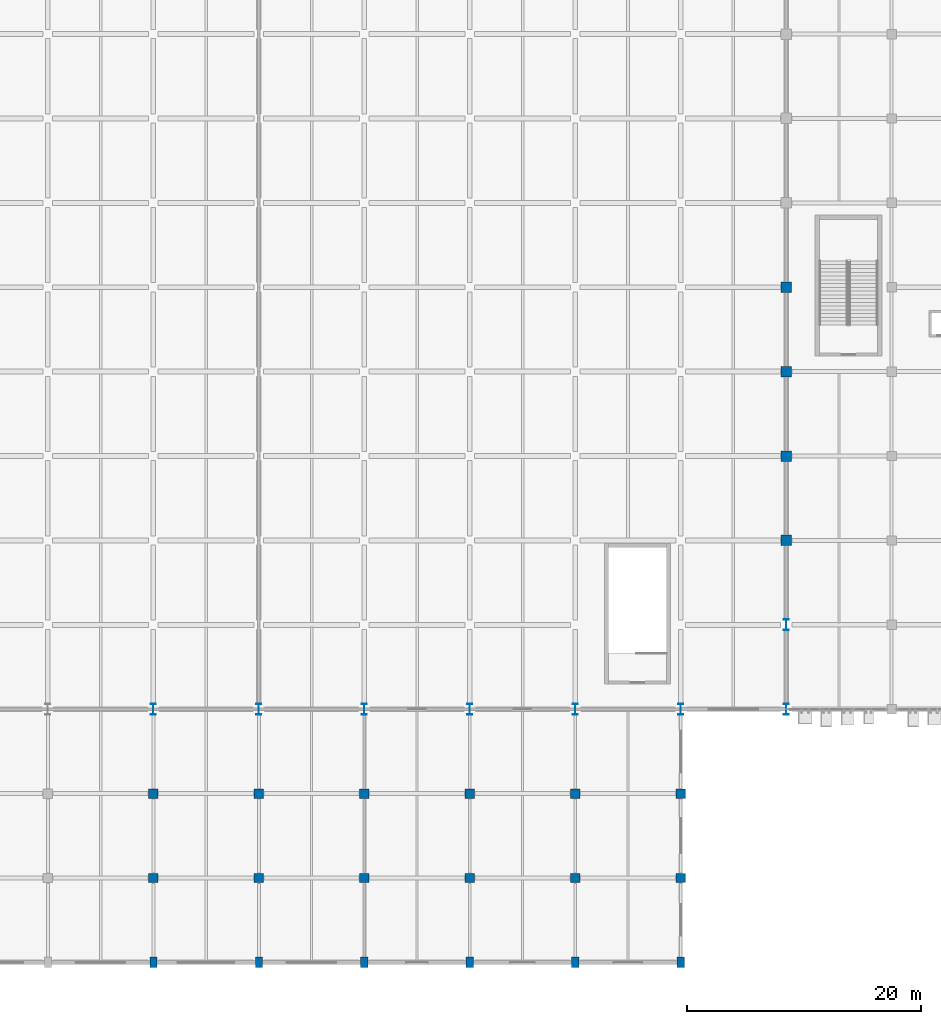
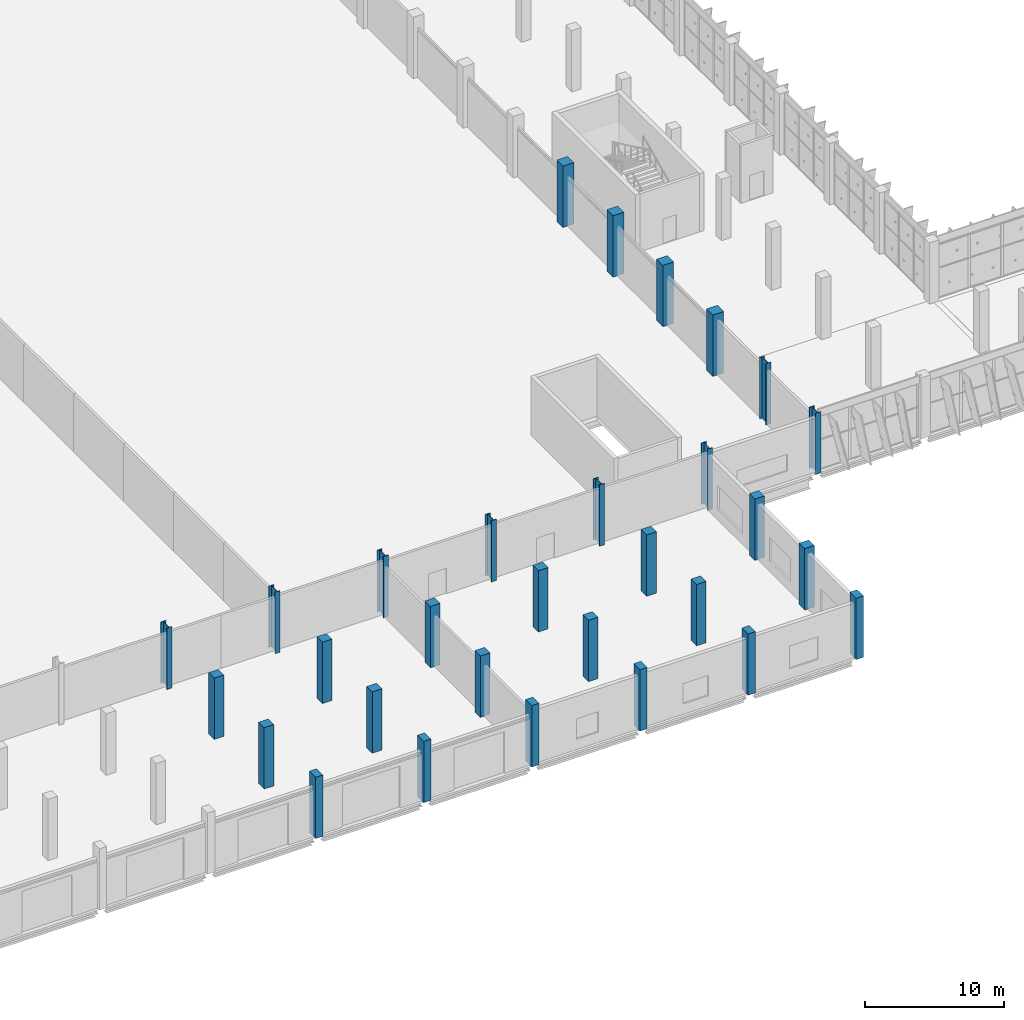
# One storey, part 3 of 137: 30 columns.
"""IFC4 building model written with IfcOpenShell, lengths in metres."""

from ifc_helpers import new_model, si_unit, direction, frame, origin, origin_2d, place, context, subcontext, project, spatial, rectangle, i_section, extrude, material, material_profile, profile_set, type_object, element, save


model = new_model("IFC4")

# Units and contexts
model_context = context("Model", 3, precision=1e-05, world=origin(), true_north=direction((0.0, 1.0)))
body_context = subcontext(model_context, "Body", "Model", "MODEL_VIEW")
ifc_project = project(units=[si_unit("LENGTHUNIT", "METRE"), si_unit("AREAUNIT", "SQUARE_METRE"), si_unit("VOLUMEUNIT", "CUBIC_METRE"), si_unit("PLANEANGLEUNIT", "RADIAN"), si_unit("MASSUNIT", "GRAM", prefix="KILO")], contexts=[model_context])

# Site, building, storey
site_placement = place(None, origin())
site = spatial("IfcSite", under=ifc_project, at=site_placement, CompositionType="ELEMENT")
building_placement = place(site_placement, origin())
building = spatial("IfcBuilding", under=site, at=building_placement, Name="Celestram Park Convention Centre", CompositionType="ELEMENT")
storey_placement = place(building_placement, origin())
storey = spatial("IfcBuildingStorey", under=building, at=storey_placement, Name="L00", CompositionType="ELEMENT", Elevation=0.0)

# Columns
ifc_material_1 = material(Name="Concrete C40/50", Category="concrete")
ifc_material_profile_1 = material_profile(ifc_material_1, rectangle(XDim=0.800048828125, YDim=0.800048828125, at=origin_2d()), Name="RC800X800")
ifc_profile_set_1 = profile_set([ifc_material_profile_1], Name="Concrete C40/50")
column_type_1 = type_object("IfcColumnType", Name="STR-COL-RC800", PredefinedType="COLUMN", material=ifc_profile_set_1)
for number, where, z_axis, x_axis, name in (
    (1, (72.0, 7.199951171875, 0.0), (0.0, 0.0, 1.0), (1.0, 0.0, 0.0), "Column CN-L00-093"),
    (2, (72.0, 14.39990234375, 0.0), (0.0, 0.0, 1.0), (1.0, 0.0, 0.0), "Column CN-L00-094"),
    (3, (81.0, 7.199951171875, 0.0), (0.0, 0.0, 1.0), (1.0, 0.0, 0.0), "Column CN-L00-106"),
    (4, (81.0, 14.39990234375, 0.0), (0.0, 0.0, 1.0), (1.0, 0.0, 0.0), "Column CN-L00-107"),
    (5, (90.0, 7.199951171875, 0.0), (0.0, 0.0, 1.0), (1.0, 0.0, 0.0), "Column CN-L00-119"),
    (6, (90.0, 14.39990234375, 0.0), (0.0, 0.0, 1.0), (1.0, 0.0, 0.0), "Column CN-L00-120"),
    (7, (99.0, 7.199951171875, 0.0), (0.0, 0.0, 1.0), (1.0, 0.0, 0.0), "Column CN-L00-132"),
    (8, (99.0, 14.39990234375, 0.0), (0.0, 0.0, 1.0), (1.0, 0.0, 0.0), "Column CN-L00-133"),
    (9, (108.0, 7.199951171875, 0.0), (0.0, 0.0, 1.0), (1.0, 0.0, 0.0), "Column CN-L00-145"),
    (10, (108.0, 14.39990234375, 0.0), (0.0, 0.0, 1.0), (1.0, 0.0, 0.0), "Column CN-L00-146"),
    (11, (117.0, 7.199951171875, 0.0), (0.0, 0.0, 1.0), (1.0, 0.0, 0.0), "Column CN-L00-158"),
    (12, (117.0, 14.39990234375, 0.0), (0.0, 0.0, 1.0), (1.0, 0.0, 0.0), "Column CN-L00-159"),
):
    element("IfcColumn", number, at=place(storey_placement, frame(where, z_axis=z_axis, x_axis=x_axis)), inside=storey, type_object=column_type_1, Name=name, PredefinedType="COLUMN", context=body_context, shape_type="SweptSolid", body=[
        extrude(rectangle(XDim=0.800048828125, YDim=0.800048828125, at=origin_2d()), origin(), (0.0, 0.0, 1.0), 5.39990234375),
    ])
ifc_material_profile_2 = material_profile(ifc_material_1, rectangle(XDim=0.89990234375, YDim=0.89990234375, at=origin_2d()), Name="RC900X900")
ifc_profile_set_2 = profile_set([ifc_material_profile_2], Name="Concrete C40/50")
column_type_2 = type_object("IfcColumnType", Name="STR-COL-RC900", PredefinedType="COLUMN", material=ifc_profile_set_2)
for number, where, z_axis, x_axis, name in (
    (13, (126.0, 36.0, 0.0), (0.0, 0.0, 1.0), (1.0, 0.0, 0.0), "Column CN-L00-172"),
    (14, (126.0, 43.199951171875, 0.0), (0.0, 0.0, 1.0), (1.0, 0.0, 0.0), "Column CN-L00-173"),
    (15, (126.0, 50.39990234375, 0.0), (0.0, 0.0, 1.0), (1.0, 0.0, 0.0), "Column CN-L00-174"),
    (16, (126.0, 57.60009765625, 0.0), (0.0, 0.0, 1.0), (1.0, 0.0, 0.0), "Column CN-L00-175"),
):
    element("IfcColumn", number, at=place(storey_placement, frame(where, z_axis=z_axis, x_axis=x_axis)), inside=storey, type_object=column_type_2, Name=name, PredefinedType="COLUMN", context=body_context, shape_type="SweptSolid", body=[
        extrude(rectangle(XDim=0.89990234375, YDim=0.89990234375, at=origin_2d()), origin(), (0.0, 0.0, 1.0), 5.39990234375),
    ])
ifc_material_profile_3 = material_profile(ifc_material_1, rectangle(XDim=0.60009765625, YDim=0.89990234375, at=origin_2d()), Name="RC900X600")
ifc_profile_set_3 = profile_set([ifc_material_profile_3], Name="Concrete C40/50")
column_type_3 = type_object("IfcColumnType", Name="STR-COL-RC900X600", PredefinedType="COLUMN", material=ifc_profile_set_3)
for number, where, z_axis, x_axis, name in (
    (17, (72.0, 0.0, 0.0), (0.0, 0.0, 1.0), (1.0, 0.0, 0.0), "Column CN-L00-092"),
    (18, (81.0, 0.0, 0.0), (0.0, 0.0, 1.0), (1.0, 0.0, 0.0), "Column CN-L00-105"),
    (19, (90.0, 0.0, 0.0), (0.0, 0.0, 1.0), (1.0, 0.0, 0.0), "Column CN-L00-118"),
    (20, (99.0, 0.0, 0.0), (0.0, 0.0, 1.0), (1.0, 0.0, 0.0), "Column CN-L00-131"),
    (21, (108.0, 0.0, 0.0), (0.0, 0.0, 1.0), (1.0, 0.0, 0.0), "Column CN-L00-144"),
    (22, (117.0, 0.0, 0.0), (0.0, 0.0, 1.0), (1.0, 0.0, 0.0), "Column CN-L00-157"),
):
    element("IfcColumn", number, at=place(storey_placement, frame(where, z_axis=z_axis, x_axis=x_axis)), inside=storey, type_object=column_type_3, Name=name, PredefinedType="COLUMN", context=body_context, shape_type="SweptSolid", body=[
        extrude(rectangle(XDim=0.60009765625, YDim=0.89990234375, at=origin_2d()), origin(), (0.0, 0.0, 1.0), 5.39990234375),
    ])
ifc_material_2 = material(Name="Steel ASTM A992 Grade 50", Category="steel")
ifc_material_profile_4 = material_profile(ifc_material_2, i_section(OverallWidth=0.424072265625, OverallDepth=0.931884765625, WebThickness=0.02392578125, FlangeThickness=0.042724609375, at=origin_2d()), Name="W36X302")
ifc_profile_set_4 = profile_set([ifc_material_profile_4], Name="Steel ASTM A992 Grade 50")
column_type_4 = type_object("IfcColumnType", Name="STR-COL-W36X302", PredefinedType="COLUMN", material=ifc_profile_set_4)
for number, where, z_axis, x_axis, name in (
    (23, (72.0, 21.60009765625, 0.0), (0.0, 0.0, 1.0), (1.0, 0.0, 0.0), "Column CN-L00-095"),
    (24, (81.0, 21.60009765625, 0.0), (0.0, 0.0, 1.0), (1.0, 0.0, 0.0), "Column CN-L00-108"),
    (25, (90.0, 21.60009765625, 0.0), (0.0, 0.0, 1.0), (1.0, 0.0, 0.0), "Column CN-L00-121"),
    (26, (99.0, 21.60009765625, 0.0), (0.0, 0.0, 1.0), (1.0, 0.0, 0.0), "Column CN-L00-134"),
    (27, (108.0, 21.60009765625, 0.0), (0.0, 0.0, 1.0), (1.0, 0.0, 0.0), "Column CN-L00-147"),
    (28, (117.0, 21.60009765625, 0.0), (0.0, 0.0, 1.0), (1.0, 0.0, 0.0), "Column CN-L00-160"),
    (29, (126.0, 21.60009765625, 0.0), (0.0, 0.0, 1.0), (1.0, 0.0, 0.0), "Column CN-L00-170"),
    (30, (126.0, 28.800048828125, 0.0), (0.0, 0.0, 1.0), (1.0, 0.0, 0.0), "Column CN-L00-171"),
):
    element("IfcColumn", number, at=place(storey_placement, frame(where, z_axis=z_axis, x_axis=x_axis)), inside=storey, type_object=column_type_4, Name=name, PredefinedType="COLUMN", context=body_context, shape_type="SweptSolid", body=[
        extrude(i_section(OverallWidth=0.424072265625, OverallDepth=0.931884765625, WebThickness=0.02392578125, FlangeThickness=0.042724609375, at=origin_2d()), origin(), (0.0, 0.0, 1.0), 5.39990234375),
    ])

save(model, "model.ifc")
